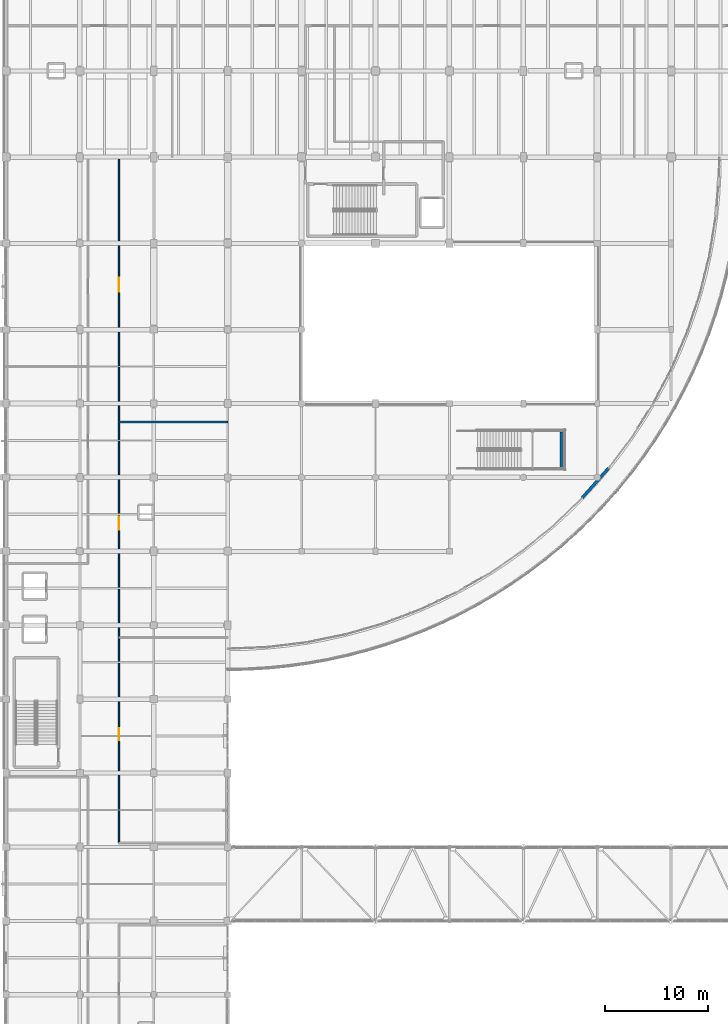
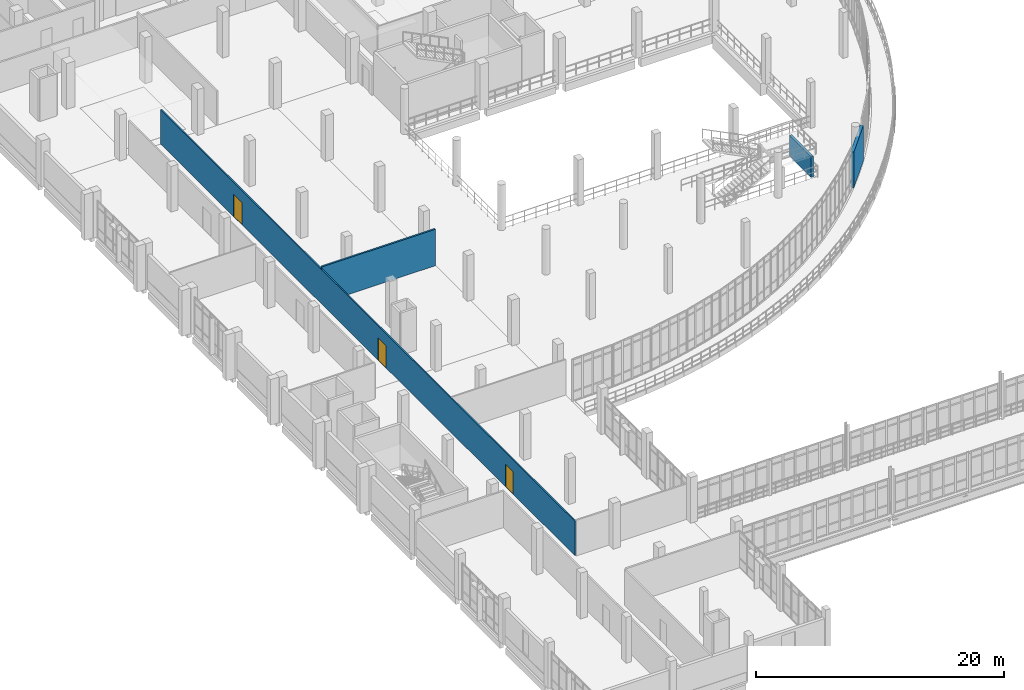
# One storey, part 107 of 124: 4 walls, 3 doors, 3 openings.
"""IFC4 building model written with IfcOpenShell, lengths in metres."""

from ifc_helpers import new_model, si_unit, direction, frame, frame_2d, origin, place, context, subcontext, project, spatial, rectangle, extrude, material, layer, layer_set, type_object, element, fill, save


model = new_model("IFC4")

# Units and contexts
model_context = context("Model", 3, precision=1e-05, world=origin(), true_north=direction((0.0, 1.0)))
body_context = subcontext(model_context, "Body", "Model", "MODEL_VIEW")
ifc_project = project(units=[si_unit("LENGTHUNIT", "METRE"), si_unit("AREAUNIT", "SQUARE_METRE"), si_unit("VOLUMEUNIT", "CUBIC_METRE"), si_unit("PLANEANGLEUNIT", "RADIAN"), si_unit("MASSUNIT", "GRAM", prefix="KILO")], contexts=[model_context])

# Site, building, storey
site_placement = place(None, origin())
site = spatial("IfcSite", under=ifc_project, at=site_placement, CompositionType="ELEMENT")
building_placement = place(site_placement, origin())
building = spatial("IfcBuilding", under=site, at=building_placement, Name="Kalluvel Institute of Natural Sciences", CompositionType="ELEMENT")
storey_placement = place(building_placement, frame((0.0, 0.0, 9.89990234375)))
storey = spatial("IfcBuildingStorey", under=building, at=storey_placement, Name="L02", CompositionType="ELEMENT", Elevation=9.89990234375)

# Wall
ifc_material_1 = material(Name="Sadarahalli Grey Granite Ashlar Concrete M40", Category="masonry")
ifc_layer_1 = layer(ifc_material_1, 0.280029296875)
ifc_layer_set_1 = layer_set([ifc_layer_1], Name="Sadarahalli Grey Granite Ashlar Concrete M40")
wall_type_1 = type_object("IfcWallType", Name="WL-EXT-280", PredefinedType="SOLIDWALL", material=ifc_layer_set_1)
wall_1_placement = place(storey_placement, frame((70.1455078125, 69.618408203125, 0.0), z_axis=(0.0, 0.0, 1.0), x_axis=(0.663129476896, 0.748504707315, 0.0)))
element("IfcWall", 1, at=wall_1_placement, inside=storey, type_object=wall_type_1, Name="L02 Sadarahalli granite exterior wall WL-EXT-L02-0223", PredefinedType="SOLIDWALL", context=body_context, shape_type="SweptSolid", body=[
    extrude(rectangle(XDim=3.857666015625, YDim=0.280029296875, at=frame_2d((1.9287109375, 0.0))), origin(), (0.0, 0.0, 1.0), 3.51513671875),
])

# Wall, openings, doors
ifc_material_2 = material(Name="Acoustic Gypsum Twin-Stud Partition", Category="gypsum")
ifc_layer_2 = layer(ifc_material_2, 0.1201171875)
ifc_layer_set_2 = layer_set([ifc_layer_2], Name="Acoustic Gypsum Twin-Stud Partition")
wall_type_2 = type_object("IfcWallType", Name="WL-PART-120", PredefinedType="PARTITIONING", material=ifc_layer_set_2)
wall_2_placement = place(storey_placement, frame((25.0, 36.0, 0.0), z_axis=(0.0, 0.0, 1.0), x_axis=(0.0, 1.0, 0.0)))
wall_2 = element("IfcWall", 2, at=wall_2_placement, inside=storey, type_object=wall_type_2, Name="L02 interior partition wall WL-INT-L02-0152", PredefinedType="PARTITIONING", context=body_context, shape_type="SweptSolid", body=[
    extrude(rectangle(XDim=66.800048828125, YDim=0.1201171875, at=frame_2d((33.39990234375, 0.0))), origin(), (0.0, 0.0, 1.0), 3.380126953125),
])
opening_1_placement = place(wall_2_placement, frame((10.0, 0.0, 0.0)))
opening_1 = element("IfcOpeningElement", 3, at=opening_1_placement, cuts=wall_2, Name="Opening D-137", PredefinedType="OPENING", context=body_context, shape_type="SweptSolid", body=[
    extrude(rectangle(XDim=1.179931640625, YDim=2.199951171875, at=frame_2d((0.58984375, 1.10009765625))), frame((0.0, 0.070068359375, 0.0), z_axis=(0.0, -1.0, 0.0), x_axis=(1.0, 0.0, 0.0)), (0.0, 0.0, 1.0), 0.14013671875),
])
opening_2_placement = place(wall_2_placement, frame((30.5, 0.0, 0.0)))
opening_2 = element("IfcOpeningElement", 4, at=opening_2_placement, cuts=wall_2, Name="Opening D-138", PredefinedType="OPENING", context=body_context, shape_type="SweptSolid", body=[
    extrude(rectangle(XDim=1.25, YDim=2.199951171875, at=frame_2d((0.625, 1.10009765625))), frame((0.0, 0.070068359375, 0.0), z_axis=(0.0, -1.0, 0.0), x_axis=(1.0, 0.0, 0.0)), (0.0, 0.0, 1.0), 0.14013671875),
])
opening_3_placement = place(wall_2_placement, frame((53.699951171875, 0.0, 0.0)))
opening_3 = element("IfcOpeningElement", 5, at=opening_3_placement, cuts=wall_2, Name="Opening D-139", PredefinedType="OPENING", context=body_context, shape_type="SweptSolid", body=[
    extrude(rectangle(XDim=1.35009765625, YDim=2.199951171875, at=frame_2d((0.675048828125, 1.10009765625))), frame((0.0, 0.070068359375, 0.0), z_axis=(0.0, -1.0, 0.0), x_axis=(1.0, 0.0, 0.0)), (0.0, 0.0, 1.0), 0.14013671875),
])
ifc_material_3 = material(Name="Engineered Hardwood Acoustic Leaf", Category="wood")
door_type_1 = type_object("IfcDoorType", Name="DR-INT-1180", OperationType="NOTDEFINED", PredefinedType="DOOR", material=ifc_material_3)
door_1_placement = place(opening_1_placement, origin())
door_1 = element("IfcDoor", 6, at=door_1_placement, inside=storey, type_object=door_type_1, Name="Theoretical Chemistry Faculty Offices door D-137", OperationType="SINGLE_SWING_RIGHT", OverallHeight=2.199951171875, OverallWidth=1.179931640625, PredefinedType="DOOR", context=body_context, shape_type="SweptSolid", body=[
    extrude(rectangle(XDim=1.179931640625, YDim=2.199951171875, at=frame_2d((0.58984375, 1.10009765625))), frame((0.0, 0.02490234375, 0.0), z_axis=(0.0, -1.0, 0.0), x_axis=(1.0, 0.0, 0.0)), (0.0, 0.0, 1.0), 0.050048828125),
])
fill(opening_1, door_1)
door_type_2 = type_object("IfcDoorType", Name="DR-INT-1250", OperationType="NOTDEFINED", PredefinedType="DOOR", material=ifc_material_3)
door_2_placement = place(opening_2_placement, origin())
door_2 = element("IfcDoor", 7, at=door_2_placement, inside=storey, type_object=door_type_2, Name="Spectroscopy Data Write-Up Studio door D-138", OperationType="SINGLE_SWING_LEFT", OverallHeight=2.199951171875, OverallWidth=1.25, PredefinedType="DOOR", context=body_context, shape_type="SweptSolid", body=[
    extrude(rectangle(XDim=1.25, YDim=2.199951171875, at=frame_2d((0.625, 1.10009765625))), frame((0.0, 0.02490234375, 0.0), z_axis=(0.0, -1.0, 0.0), x_axis=(1.0, 0.0, 0.0)), (0.0, 0.0, 1.0), 0.050048828125),
])
fill(opening_2, door_2)
ifc_material_4 = material(Name="Aluminium AW-6063 T6", Category="aluminium")
door_type_3 = type_object("IfcDoorType", Name="DR-INT-1350", OperationType="NOTDEFINED", PredefinedType="DOOR", material=ifc_material_4)
door_3_placement = place(opening_3_placement, origin())
door_3 = element("IfcDoor", 8, at=door_3_placement, inside=storey, type_object=door_type_3, Name="Chemical Safety and Documentation Reading Room door D-139", OperationType="SINGLE_SWING_RIGHT", OverallHeight=2.199951171875, OverallWidth=1.35009765625, PredefinedType="DOOR", context=body_context, shape_type="SweptSolid", body=[
    extrude(rectangle(XDim=1.35009765625, YDim=2.199951171875, at=frame_2d((0.675048828125, 1.10009765625))), frame((0.0, 0.02490234375, 0.0), z_axis=(0.0, -1.0, 0.0), x_axis=(1.0, 0.0, 0.0)), (0.0, 0.0, 1.0), 0.050048828125),
])
fill(opening_3, door_3)

# Walls
ifc_material_5 = material(Name="Autoclaved Aerated Concrete Masonry Block", Category="masonry")
ifc_layer_3 = layer(ifc_material_5, 0.159912109375)
ifc_layer_set_3 = layer_set([ifc_layer_3], Name="Autoclaved Aerated Concrete Masonry Block")
wall_type_3 = type_object("IfcWallType", Name="WL-PART-160", PredefinedType="PARTITIONING", material=ifc_layer_set_3)
wall_3_placement = place(storey_placement, frame((25.0, 77.0, 0.0), z_axis=(0.0, 0.0, 1.0), x_axis=(1.0, 0.0, 0.0)))
element("IfcWall", 9, at=wall_3_placement, inside=storey, type_object=wall_type_3, Name="L02 interior partition wall WL-INT-L02-0156", PredefinedType="PARTITIONING", context=body_context, shape_type="SweptSolid", body=[
    extrude(rectangle(XDim=10.60009765625, YDim=0.159912109375, at=frame_2d((5.300048828125, 0.0))), origin(), (0.0, 0.0, 1.0), 3.580078125),
])
ifc_material_6 = material(Name="Concrete M40", Category="concrete")
ifc_layer_4 = layer(ifc_material_6, 0.219970703125)
ifc_layer_set_4 = layer_set([ifc_layer_4], Name="Concrete M40")
wall_type_4 = type_object("IfcWallType", Name="WL-SHAFT-220", PredefinedType="SHEAR", material=ifc_layer_set_4)
wall_4_placement = place(storey_placement, frame((68.10009765625, 72.5, 0.0), z_axis=(0.0, 0.0, 1.0), x_axis=(0.0, 1.0, 0.0)))
element("IfcWall", 10, at=wall_4_placement, inside=storey, type_object=wall_type_4, Name="L02 Atrium feature stair structural fin wall", PredefinedType="SHEAR", context=body_context, shape_type="SweptSolid", body=[
    extrude(rectangle(XDim=3.5, YDim=0.219970703125, at=frame_2d((1.75, 0.0))), origin(), (0.0, 0.0, 1.0), 2.050048828125),
])

save(model, "model.ifc")
